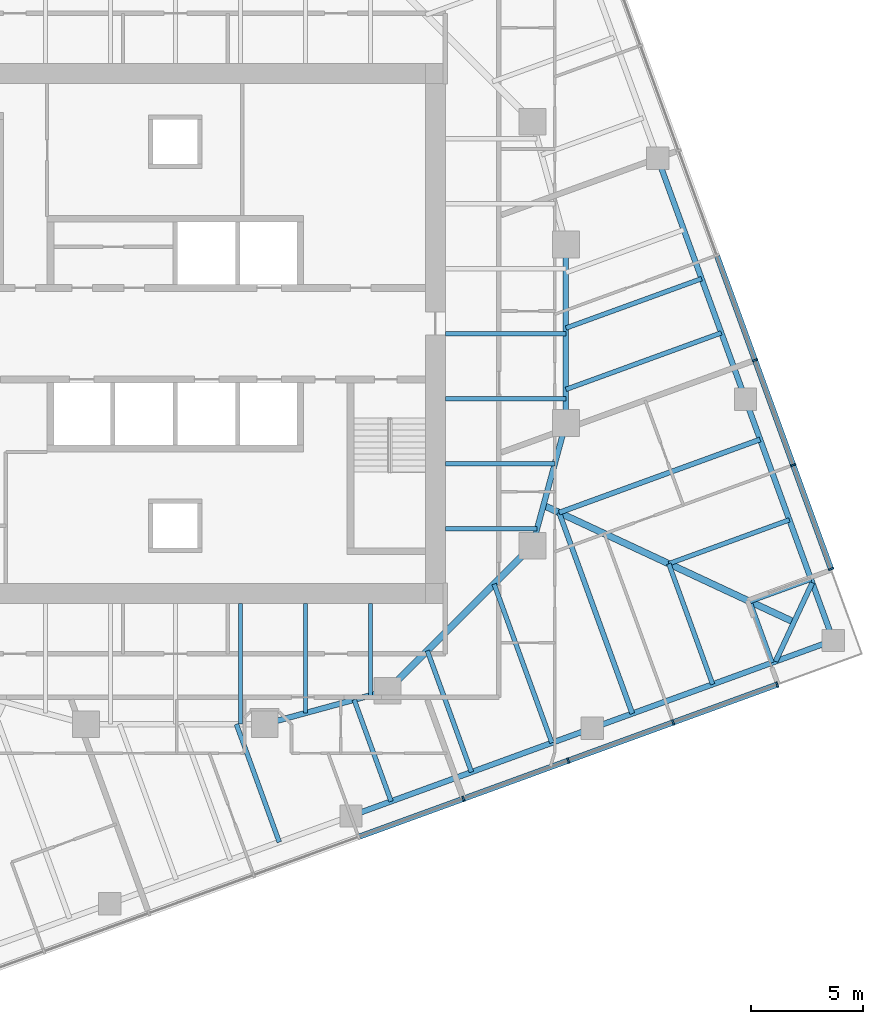
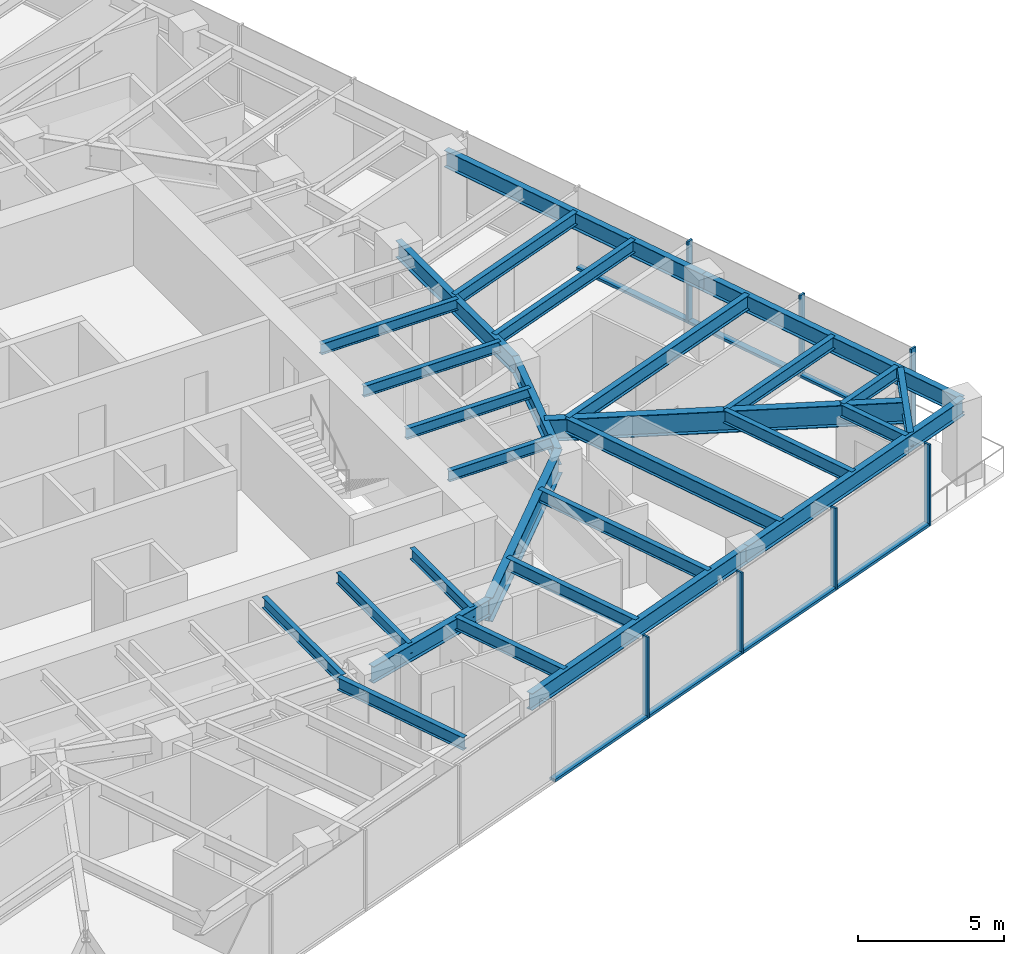
# One storey, part 3 of 13: 29 beams, 14 members, 2 elements without a shape of their own.
"""IFC4 building model written with IfcOpenShell, lengths in metres."""

from ifc_helpers import new_model, si_unit, direction, frame, origin, origin_2d, place, context, subcontext, project, spatial, rectangle, i_section, extrude, material, material_profile, profile_set, type_object, element, aggregate, save


model = new_model("IFC4")

# Units and contexts
model_context = context("Model", 3, precision=1e-05, world=origin(), true_north=direction((0.0, 1.0)))
body_context = subcontext(model_context, "Body", "Model", "MODEL_VIEW")
ifc_project = project(units=[si_unit("LENGTHUNIT", "METRE"), si_unit("AREAUNIT", "SQUARE_METRE"), si_unit("VOLUMEUNIT", "CUBIC_METRE"), si_unit("PLANEANGLEUNIT", "RADIAN"), si_unit("MASSUNIT", "GRAM", prefix="KILO")], contexts=[model_context])

# Site, building, storey
site_placement = place(None, origin())
site = spatial("IfcSite", under=ifc_project, at=site_placement, CompositionType="ELEMENT")
building_placement = place(site_placement, origin())
building = spatial("IfcBuilding", under=site, at=building_placement, Name="Torsade Residences", CompositionType="ELEMENT")
storey_placement = place(building_placement, frame((0.0, 0.0, 154.0)))
storey = spatial("IfcBuildingStorey", under=building, at=storey_placement, Name="L42", CompositionType="ELEMENT", Elevation=154.0)

# Beams
ifc_material_1 = material(Name="Steel grade 300", Category="steel")
ifc_material_profile_1 = material_profile(ifc_material_1, i_section(OverallWidth=0.300048828125, OverallDepth=0.89990234375, WebThickness=0.011962890625, FlangeThickness=0.02490234375, at=origin_2d()), Name="900WB175")
ifc_profile_set_1 = profile_set([ifc_material_profile_1], Name="Steel grade 300")
beam_type_1 = type_object("IfcBeamType", Name="CORNER GIRDER 900WB175", PredefinedType="BEAM", material=ifc_profile_set_1)
beam_1_placement = place(storey_placement, frame((67.717041015625, 17.075439453125, 2.800048828125), z_axis=(-0.906308509373, 0.422616712682, 0.0), x_axis=(-0.422616712682, -0.906308509373, 0.0)))
element("IfcBeam", 1, at=beam_1_placement, inside=storey, type_object=beam_type_1, Name="Corner girder 05 L43", PredefinedType="BEAM", context=body_context, shape_type="SweptSolid", body=[
    extrude(i_section(OverallWidth=0.300048828125, OverallDepth=0.89990234375, WebThickness=0.011962890625, FlangeThickness=0.02490234375, at=origin_2d()), origin(), (0.0, 0.0, 1.0), 12.3837890625),
])
ifc_material_2 = material(Name="Steel grade 300", Category="steel")
ifc_material_profile_2 = material_profile(ifc_material_2, i_section(OverallWidth=0.22802734375, OverallDepth=0.60205078125, WebThickness=0.010498046875, FlangeThickness=0.014892578125, FilletRadius=0.013916015625, at=origin_2d()), Name="610UB101")
ifc_profile_set_2 = profile_set([ifc_material_profile_2], Name="Steel grade 300")
beam_type_2 = type_object("IfcBeamType", Name="CORNER TRIMMER 610UB101", PredefinedType="BEAM", material=ifc_profile_set_2)
beam_2_placement = place(storey_placement, frame((68.538818359375, 18.837646484375, 2.948974609375), z_axis=(-0.422613947806, -0.906309798645, 0.0), x_axis=(0.906309798645, -0.422613947806, 0.0)))
element("IfcBeam", 2, at=beam_2_placement, inside=storey, type_object=beam_type_2, Name="Corner trimmer 05 L43", PredefinedType="BEAM", context=body_context, shape_type="SweptSolid", body=[
    extrude(i_section(OverallWidth=0.22802734375, OverallDepth=0.60205078125, WebThickness=0.010498046875, FlangeThickness=0.014892578125, FilletRadius=0.013916015625, at=origin_2d()), origin(), (0.0, 0.0, 1.0), 3.888916015625),
])
ifc_material_3 = material(Name="Steel grade 300", Category="steel")
ifc_material_profile_3 = material_profile(ifc_material_3, i_section(OverallWidth=0.25, OverallDepth=0.699951171875, WebThickness=0.010009765625, FlangeThickness=0.02001953125, at=origin_2d()), Name="700WB130")
ifc_profile_set_3 = profile_set([ifc_material_profile_3], Name="Steel grade 300")
beam_type_3 = type_object("IfcBeamType", Name="EDGE BEAM 700WB130", PredefinedType="SPANDREL", material=ifc_profile_set_3)
for number, where, z_axis, x_axis, name in (
    (3, (47.866455078125, 8.386962890625, 2.89990234375), (0.939688625666, 0.342031119628, 0.0), (-0.342031119628, 0.939688625666, 0.0), "Edge beam 03 L43"),
    (4, (58.6728515625, 12.3203125, 2.89990234375), (0.939697932031, 0.342005550448, 0.0), (-0.342005550448, 0.939697932031, 0.0), "Edge beam 04 L43"),
):
    element("IfcBeam", number, at=place(storey_placement, frame(where, z_axis=z_axis, x_axis=x_axis)), inside=storey, type_object=beam_type_3, Name=name, PredefinedType="SPANDREL", context=body_context, shape_type="SweptSolid", body=[
        extrude(i_section(OverallWidth=0.25, OverallDepth=0.699951171875, WebThickness=0.010009765625, FlangeThickness=0.02001953125, at=origin_2d()), origin(), (0.0, 0.0, 1.0), 11.5),
    ])
beam_3_placement = place(storey_placement, frame((69.4794921875, 16.25341796875, 2.89990234375), z_axis=(-0.342024296483, 0.93969110915, 0.0), x_axis=(-0.93969110915, -0.342024296483, 0.0)))
element("IfcBeam", 5, at=beam_3_placement, inside=storey, type_object=beam_type_3, Name="Edge beam 05 L43", PredefinedType="SPANDREL", context=body_context, shape_type="SweptSolid", body=[
    extrude(i_section(OverallWidth=0.25, OverallDepth=0.699951171875, WebThickness=0.010009765625, FlangeThickness=0.02001953125, at=origin_2d()), origin(), (0.0, 0.0, 1.0), 11.500244140625),
])
beam_4_placement = place(storey_placement, frame((65.546142578125, 27.06005859375, 2.89990234375), z_axis=(-0.342012373318, 0.939695448801, 0.0), x_axis=(-0.939695448801, -0.342012373318, 0.0)))
element("IfcBeam", 6, at=beam_4_placement, inside=storey, type_object=beam_type_3, Name="Edge beam 06 L43", PredefinedType="SPANDREL", context=body_context, shape_type="SweptSolid", body=[
    extrude(i_section(OverallWidth=0.25, OverallDepth=0.699951171875, WebThickness=0.010009765625, FlangeThickness=0.02001953125, at=origin_2d()), origin(), (0.0, 0.0, 1.0), 11.5),
])
ifc_material_4 = material(Name="Steel grade 300", Category="steel")
ifc_material_profile_4 = material_profile(ifc_material_4, i_section(OverallWidth=0.18994140625, OverallDepth=0.4541015625, WebThickness=0.008544921875, FlangeThickness=0.0126953125, FilletRadius=0.011474609375, at=origin_2d()), Name="460UB67.1")
ifc_profile_set_4 = profile_set([ifc_material_profile_4], Name="Steel grade 300")
beam_type_4 = type_object("IfcBeamType", Name="INNER FLOOR BEAM 460UB67.1", PredefinedType="JOIST", material=ifc_profile_set_4)
beam_5_placement = place(storey_placement, frame((48.737548828125, 17.89990234375, 3.02294921875), z_axis=(0.0, -1.0, 0.0), x_axis=(1.0, 0.0, 0.0)))
element("IfcBeam", 7, at=beam_5_placement, inside=storey, type_object=beam_type_4, Name="Inner floor beam IS01 L43", PredefinedType="JOIST", context=body_context, shape_type="SweptSolid", body=[
    extrude(i_section(OverallWidth=0.18994140625, OverallDepth=0.4541015625, WebThickness=0.008544921875, FlangeThickness=0.0126953125, FilletRadius=0.011474609375, at=origin_2d()), origin(), (0.0, 0.0, 1.0), 4.10791015625),
])
beam_6_placement = place(storey_placement, frame((45.824951171875, 17.89990234375, 3.02294921875), z_axis=(0.0, -1.0, 0.0), x_axis=(1.0, 0.0, 0.0)))
element("IfcBeam", 8, at=beam_6_placement, inside=storey, type_object=beam_type_4, Name="Inner floor beam IS02 L43", PredefinedType="JOIST", context=body_context, shape_type="SweptSolid", body=[
    extrude(i_section(OverallWidth=0.18994140625, OverallDepth=0.4541015625, WebThickness=0.008544921875, FlangeThickness=0.0126953125, FilletRadius=0.011474609375, at=origin_2d()), origin(), (0.0, 0.0, 1.0), 4.902099609375),
])
beam_7_placement = place(storey_placement, frame((42.91259765625, 17.89990234375, 3.02294921875), z_axis=(0.0, -1.0, 0.0), x_axis=(1.0, 0.0, 0.0)))
element("IfcBeam", 9, at=beam_7_placement, inside=storey, type_object=beam_type_4, Name="Inner floor beam IS03 L43", PredefinedType="JOIST", context=body_context, shape_type="SweptSolid", body=[
    extrude(i_section(OverallWidth=0.18994140625, OverallDepth=0.4541015625, WebThickness=0.008544921875, FlangeThickness=0.0126953125, FilletRadius=0.011474609375, at=origin_2d()), origin(), (0.0, 0.0, 1.0), 5.39990234375),
])
beam_8_placement = place(storey_placement, frame((52.10009765625, 21.262451171875, 3.02294921875), z_axis=(1.0, 0.0, 0.0), x_axis=(0.0, 1.0, 0.0)))
element("IfcBeam", 10, at=beam_8_placement, inside=storey, type_object=beam_type_4, Name="Inner floor beam IE01 L43", PredefinedType="JOIST", context=body_context, shape_type="SweptSolid", body=[
    extrude(i_section(OverallWidth=0.18994140625, OverallDepth=0.4541015625, WebThickness=0.008544921875, FlangeThickness=0.0126953125, FilletRadius=0.011474609375, at=origin_2d()), origin(), (0.0, 0.0, 1.0), 4.10791015625),
])
beam_9_placement = place(storey_placement, frame((52.10009765625, 24.175048828125, 3.02294921875), z_axis=(1.0, 0.0, 0.0), x_axis=(0.0, 1.0, 0.0)))
element("IfcBeam", 11, at=beam_9_placement, inside=storey, type_object=beam_type_4, Name="Inner floor beam IE02 L43", PredefinedType="JOIST", context=body_context, shape_type="SweptSolid", body=[
    extrude(i_section(OverallWidth=0.18994140625, OverallDepth=0.4541015625, WebThickness=0.008544921875, FlangeThickness=0.0126953125, FilletRadius=0.011474609375, at=origin_2d()), origin(), (0.0, 0.0, 1.0), 4.902099609375),
])
for number, where, z_axis, x_axis, name in (
    (12, (52.10009765625, 27.08740234375, 3.02294921875), (1.0, 0.0, 0.0), (0.0, 1.0, 0.0), "Inner floor beam IE03 L43"),
    (13, (52.10009765625, 30.0, 3.02294921875), (1.0, 0.0, 0.0), (0.0, 1.0, 0.0), "Inner floor beam IE04 L43"),
):
    element("IfcBeam", number, at=place(storey_placement, frame(where, z_axis=z_axis, x_axis=x_axis)), inside=storey, type_object=beam_type_4, Name=name, PredefinedType="JOIST", context=body_context, shape_type="SweptSolid", body=[
        extrude(i_section(OverallWidth=0.18994140625, OverallDepth=0.4541015625, WebThickness=0.008544921875, FlangeThickness=0.0126953125, FilletRadius=0.011474609375, at=origin_2d()), origin(), (0.0, 0.0, 1.0), 5.39990234375),
    ])

# Curtain wall, members
ifc_material_5 = material(Name="Aluminium and glass", Category="aluminium")
curtain_wall_type = type_object("IfcCurtainWallType", Name="FRITTED GLASS CURTAIN WALL MID ZONE", PredefinedType="NOTDEFINED", material=ifc_material_5)
curtain_wall_1_placement = place(storey_placement, origin())
curtain_wall_1 = element("IfcCurtainWall", 14, at=curtain_wall_1_placement, inside=storey, type_object=curtain_wall_type, Name="Curtain wall L42 face 1", PredefinedType="NOTDEFINED")
ifc_material_6 = material(Name="Aluminium mullion", Category="aluminium")
ifc_material_profile_5 = material_profile(ifc_material_6, rectangle(XDim=0.25, YDim=0.080078125, at=origin_2d()), Name="MID ZONE CURTAIN WALL MULLION 250x80")
ifc_profile_set_5 = profile_set([ifc_material_profile_5], Name="Aluminium mullion")
member_type_1 = type_object("IfcMemberType", Name="MID ZONE CURTAIN WALL MULLION 250x80", PredefinedType="MULLION", material=ifc_profile_set_5)
member_1_placement = place(storey_placement, frame((52.906982421875, 9.157470703125, 0.0), z_axis=(0.0, 0.0, 1.0), x_axis=(-0.342020147869, 0.939692619132, 0.0)))
member_1 = element("IfcMember", 15, at=member_1_placement, type_object=member_type_1, Name="Mullion 6", PredefinedType="MULLION", context=body_context, shape_type="SweptSolid", body=[
    extrude(rectangle(XDim=0.25, YDim=0.080078125, at=origin_2d()), origin(), (0.0, 0.0, 1.0), 3.39990234375),
])
member_2_placement = place(storey_placement, frame((57.60546875, 10.86767578125, 0.0), z_axis=(0.0, 0.0, 1.0), x_axis=(-0.342020147869, 0.939692619132, 0.0)))
member_2 = element("IfcMember", 16, at=member_2_placement, type_object=member_type_1, Name="Mullion 7", PredefinedType="MULLION", context=body_context, shape_type="SweptSolid", body=[
    extrude(rectangle(XDim=0.25, YDim=0.080078125, at=origin_2d()), origin(), (0.0, 0.0, 1.0), 3.39990234375),
])
member_3_placement = place(storey_placement, frame((62.303955078125, 12.57763671875, 0.0), z_axis=(0.0, 0.0, 1.0), x_axis=(-0.342020147869, 0.939692619132, 0.0)))
member_3 = element("IfcMember", 17, at=member_3_placement, type_object=member_type_1, Name="Mullion 8", PredefinedType="MULLION", context=body_context, shape_type="SweptSolid", body=[
    extrude(rectangle(XDim=0.25, YDim=0.080078125, at=origin_2d()), origin(), (0.0, 0.0, 1.0), 3.39990234375),
])
member_4_placement = place(storey_placement, frame((66.96484375, 14.274169921875, 0.0), z_axis=(0.0, 0.0, 1.0), x_axis=(-0.342020147869, 0.939692619132, 0.0)))
member_4 = element("IfcMember", 18, at=member_4_placement, type_object=member_type_1, Name="Mullion 9", PredefinedType="MULLION", context=body_context, shape_type="SweptSolid", body=[
    extrude(rectangle(XDim=0.25, YDim=0.080078125, at=origin_2d()), origin(), (0.0, 0.0, 1.0), 3.39990234375),
])

curtain_wall_2_placement = place(storey_placement, origin())
curtain_wall_2 = element("IfcCurtainWall", 19, at=curtain_wall_2_placement, inside=storey, type_object=curtain_wall_type, Name="Curtain wall L42 face 4", PredefinedType="NOTDEFINED")
member_5_placement = place(storey_placement, frame((69.37939453125, 19.4521484375, 0.0), z_axis=(0.0, 0.0, 1.0), x_axis=(-0.939692619132, -0.342020147869, 0.0)))
member_5 = element("IfcMember", 20, at=member_5_placement, type_object=member_type_1, Name="Mullion 1", PredefinedType="MULLION", context=body_context, shape_type="SweptSolid", body=[
    extrude(rectangle(XDim=0.25, YDim=0.080078125, at=origin_2d()), origin(), (0.0, 0.0, 1.0), 3.39990234375),
])
member_6_placement = place(storey_placement, frame((67.682861328125, 24.113037109375, 0.0), z_axis=(0.0, 0.0, 1.0), x_axis=(-0.939692619132, -0.342020147869, 0.0)))
member_6 = element("IfcMember", 21, at=member_6_placement, type_object=member_type_1, Name="Mullion 2", PredefinedType="MULLION", context=body_context, shape_type="SweptSolid", body=[
    extrude(rectangle(XDim=0.25, YDim=0.080078125, at=origin_2d()), origin(), (0.0, 0.0, 1.0), 3.39990234375),
])
member_7_placement = place(storey_placement, frame((65.972900390625, 28.8115234375, 0.0), z_axis=(0.0, 0.0, 1.0), x_axis=(-0.939692619132, -0.342020147869, 0.0)))
member_7 = element("IfcMember", 22, at=member_7_placement, type_object=member_type_1, Name="Mullion 3", PredefinedType="MULLION", context=body_context, shape_type="SweptSolid", body=[
    extrude(rectangle(XDim=0.25, YDim=0.080078125, at=origin_2d()), origin(), (0.0, 0.0, 1.0), 3.39990234375),
])

# Member
ifc_material_7 = material(Name="Aluminium transom", Category="aluminium")
ifc_material_profile_6 = material_profile(ifc_material_7, rectangle(XDim=0.25, YDim=0.110107421875, at=origin_2d()), Name="MID ZONE CURTAIN WALL TRANSOM 250x110")
ifc_profile_set_6 = profile_set([ifc_material_profile_6], Name="Aluminium transom")
member_type_2 = type_object("IfcMemberType", Name="MID ZONE CURTAIN WALL TRANSOM 250x110", PredefinedType="USERDEFINED", material=ifc_profile_set_6)
member_8_placement = place(storey_placement, frame((48.24609375, 7.4609375, 0.054931640625), z_axis=(0.93968471549, 0.342041862168, 0.0), x_axis=(-0.342041862168, 0.93968471549, 0.0)))
member_8 = element("IfcMember", 23, at=member_8_placement, type_object=member_type_2, Name="Transom 5.1", ObjectType="TRANSOM", PredefinedType="USERDEFINED", context=body_context, shape_type="SweptSolid", body=[
    extrude(rectangle(XDim=0.25, YDim=0.110107421875, at=origin_2d()), origin(), (0.0, 0.0, 1.0), 4.920166015625),
])

member_9_placement = place(storey_placement, frame((52.944580078125, 9.171142578125, 0.054931640625), z_axis=(0.93968471549, 0.342041862168, 0.0), x_axis=(-0.342041862168, 0.93968471549, 0.0)))
member_9 = element("IfcMember", 24, at=member_9_placement, type_object=member_type_2, Name="Transom 6.1", ObjectType="TRANSOM", PredefinedType="USERDEFINED", context=body_context, shape_type="SweptSolid", body=[
    extrude(rectangle(XDim=0.25, YDim=0.110107421875, at=origin_2d()), origin(), (0.0, 0.0, 1.0), 4.920166015625),
])

member_10_placement = place(storey_placement, frame((57.64306640625, 10.88134765625, 0.054931640625), z_axis=(0.9397006637, 0.341998044792, 0.0), x_axis=(-0.341998044792, 0.9397006637, 0.0)))
member_10 = element("IfcMember", 25, at=member_10_placement, type_object=member_type_2, Name="Transom 7.1", ObjectType="TRANSOM", PredefinedType="USERDEFINED", context=body_context, shape_type="SweptSolid", body=[
    extrude(rectangle(XDim=0.25, YDim=0.110107421875, at=origin_2d()), origin(), (0.0, 0.0, 1.0), 4.919921875),
])

member_11_placement = place(storey_placement, frame((62.341552734375, 12.59130859375, 0.054931640625), z_axis=(0.939683823915, 0.342044311564, 0.0), x_axis=(-0.342044311564, 0.939683823915, 0.0)))
member_11 = element("IfcMember", 26, at=member_11_placement, type_object=member_type_2, Name="Transom 8.1", ObjectType="TRANSOM", PredefinedType="USERDEFINED", context=body_context, shape_type="SweptSolid", body=[
    extrude(rectangle(XDim=0.25, YDim=0.110107421875, at=origin_2d()), origin(), (0.0, 0.0, 1.0), 4.880126953125),
])

aggregate(curtain_wall_1, [member_1, member_2, member_3, member_4, member_8, member_9, member_10, member_11])

member_12_placement = place(storey_placement, frame((69.36572265625, 19.48974609375, 0.054931640625), z_axis=(-0.342044311564, 0.939683823915, 0.0), x_axis=(-0.939683823915, -0.342044311564, 0.0)))
member_12 = element("IfcMember", 27, at=member_12_placement, type_object=member_type_2, Name="Transom 1.1", ObjectType="TRANSOM", PredefinedType="USERDEFINED", context=body_context, shape_type="SweptSolid", body=[
    extrude(rectangle(XDim=0.25, YDim=0.110107421875, at=origin_2d()), origin(), (0.0, 0.0, 1.0), 4.880126953125),
])

member_13_placement = place(storey_placement, frame((67.669189453125, 24.150634765625, 0.054931640625), z_axis=(-0.341998044792, 0.9397006637, 0.0), x_axis=(-0.9397006637, -0.341998044792, 0.0)))
member_13 = element("IfcMember", 28, at=member_13_placement, type_object=member_type_2, Name="Transom 2.1", ObjectType="TRANSOM", PredefinedType="USERDEFINED", context=body_context, shape_type="SweptSolid", body=[
    extrude(rectangle(XDim=0.25, YDim=0.110107421875, at=origin_2d()), origin(), (0.0, 0.0, 1.0), 4.919921875),
])

member_14_placement = place(storey_placement, frame((65.959228515625, 28.84912109375, 0.054931640625), z_axis=(-0.342041862168, 0.93968471549, 0.0), x_axis=(-0.93968471549, -0.342041862168, 0.0)))
member_14 = element("IfcMember", 29, at=member_14_placement, type_object=member_type_2, Name="Transom 3.1", ObjectType="TRANSOM", PredefinedType="USERDEFINED", context=body_context, shape_type="SweptSolid", body=[
    extrude(rectangle(XDim=0.25, YDim=0.110107421875, at=origin_2d()), origin(), (0.0, 0.0, 1.0), 4.920166015625),
])

aggregate(curtain_wall_2, [member_5, member_6, member_7, member_12, member_13, member_14])

# Beams
ifc_material_8 = material(Name="Steel grade 300", Category="steel")
ifc_material_profile_7 = material_profile(ifc_material_8, i_section(OverallWidth=0.300048828125, OverallDepth=1.0, WebThickness=0.01611328125, FlangeThickness=0.028076171875, at=origin_2d()), Name="1000WB215")
ifc_profile_set_7 = profile_set([ifc_material_profile_7], Name="Steel grade 300")
beam_type_5 = type_object("IfcBeamType", Name="RING CORNER GIRDER 1000WB215", PredefinedType="BEAM", material=ifc_profile_set_7)
beam_10_placement = place(storey_placement, frame((49.5, 14.0, 2.75), z_axis=(0.707106781187, 0.707106781187, 0.0), x_axis=(-0.707106781187, 0.707106781187, 0.0)))
element("IfcBeam", 30, at=beam_10_placement, inside=storey, type_object=beam_type_5, Name="Ring girder IR15 L43", PredefinedType="BEAM", context=body_context, shape_type="SweptSolid", body=[
    extrude(i_section(OverallWidth=0.300048828125, OverallDepth=1.0, WebThickness=0.01611328125, FlangeThickness=0.028076171875, at=origin_2d()), origin(), (0.0, 0.0, 1.0), 9.1923828125),
])
ifc_material_9 = material(Name="Steel grade 300", Category="steel")
ifc_material_profile_8 = material_profile(ifc_material_9, i_section(OverallWidth=0.25, OverallDepth=0.699951171875, WebThickness=0.010009765625, FlangeThickness=0.02001953125, at=origin_2d()), Name="700WB130")
ifc_profile_set_8 = profile_set([ifc_material_profile_8], Name="Steel grade 300")
beam_type_6 = type_object("IfcBeamType", Name="RING GIRDER 700WB130", PredefinedType="BEAM", material=ifc_profile_set_8)
beam_11_placement = place(storey_placement, frame((57.5, 26.0, 2.89990234375), z_axis=(0.0, 1.0, 0.0), x_axis=(-1.0, 0.0, 0.0)))
element("IfcBeam", 31, at=beam_11_placement, inside=storey, type_object=beam_type_6, Name="Ring girder IR01 L43", PredefinedType="BEAM", context=body_context, shape_type="SweptSolid", body=[
    extrude(i_section(OverallWidth=0.25, OverallDepth=0.699951171875, WebThickness=0.010009765625, FlangeThickness=0.02001953125, at=origin_2d()), origin(), (0.0, 0.0, 1.0), 8.0),
])
for number, where, z_axis, x_axis, name in (
    (32, (44.0, 12.5, 2.89990234375), (0.964763821238, 0.263117405792, 0.0), (-0.263117405792, 0.964763821238, 0.0), "Ring girder IR14 L43"),
    (33, (56.0, 20.5, 2.89990234375), (0.263117405792, 0.964763821238, 0.0), (-0.964763821238, 0.263117405792, 0.0), "Ring girder IR16 L43"),
):
    element("IfcBeam", number, at=place(storey_placement, frame(where, z_axis=z_axis, x_axis=x_axis)), inside=storey, type_object=beam_type_6, Name=name, PredefinedType="BEAM", context=body_context, shape_type="SweptSolid", body=[
        extrude(i_section(OverallWidth=0.25, OverallDepth=0.699951171875, WebThickness=0.010009765625, FlangeThickness=0.02001953125, at=origin_2d()), origin(), (0.0, 0.0, 1.0), 5.700927734375),
    ])
ifc_material_10 = material(Name="Steel grade 300", Category="steel")
ifc_material_profile_9 = material_profile(ifc_material_10, i_section(OverallWidth=0.208984375, OverallDepth=0.528076171875, WebThickness=0.009521484375, FlangeThickness=0.01318359375, FilletRadius=0.013916015625, at=origin_2d()), Name="530UB82.0")
ifc_profile_set_9 = profile_set([ifc_material_profile_9], Name="Steel grade 300")
beam_type_7 = type_object("IfcBeamType", Name="SECONDARY BEAM 530UB82.0", PredefinedType="JOIST", material=ifc_profile_set_9)
beam_12_placement = place(storey_placement, frame((44.65576171875, 7.218505859375, 2.986083984375), z_axis=(-0.341990681925, 0.939703343336, 0.0), x_axis=(-0.939703343336, -0.341990681925, 0.0)))
element("IfcBeam", 34, at=beam_12_placement, inside=storey, type_object=beam_type_7, Name="Floor beam FS06 L43", PredefinedType="JOIST", context=body_context, shape_type="SweptSolid", body=[
    extrude(i_section(OverallWidth=0.208984375, OverallDepth=0.528076171875, WebThickness=0.009521484375, FlangeThickness=0.01318359375, FilletRadius=0.013916015625, at=origin_2d()), origin(), (0.0, 0.0, 1.0), 5.620361328125),
])
beam_13_placement = place(storey_placement, frame((49.66748046875, 9.042724609375, 2.986083984375), z_axis=(-0.342014218604, 0.939694777187, 0.0), x_axis=(-0.939694777187, -0.342014218604, 0.0)))
element("IfcBeam", 35, at=beam_13_placement, inside=storey, type_object=beam_type_7, Name="Floor beam FS07 L43", PredefinedType="JOIST", context=body_context, shape_type="SweptSolid", body=[
    extrude(i_section(OverallWidth=0.208984375, OverallDepth=0.528076171875, WebThickness=0.009521484375, FlangeThickness=0.01318359375, FilletRadius=0.013916015625, at=origin_2d()), origin(), (0.0, 0.0, 1.0), 4.84326171875),
])
beam_14_placement = place(storey_placement, frame((53.269775390625, 10.353759765625, 2.986083984375), z_axis=(-0.342034409239, 0.939687428295, 0.0), x_axis=(-0.939687428295, -0.342034409239, 0.0)))
element("IfcBeam", 36, at=beam_14_placement, inside=storey, type_object=beam_type_7, Name="Floor beam FS08 L43", PredefinedType="JOIST", context=body_context, shape_type="SweptSolid", body=[
    extrude(i_section(OverallWidth=0.208984375, OverallDepth=0.528076171875, WebThickness=0.009521484375, FlangeThickness=0.01318359375, FilletRadius=0.013916015625, at=origin_2d()), origin(), (0.0, 0.0, 1.0), 5.785888671875),
])
beam_15_placement = place(storey_placement, frame((56.871826171875, 11.664794921875, 2.986083984375), z_axis=(-0.342027762686, 0.939689847531, 0.0), x_axis=(-0.939689847531, -0.342027762686, 0.0)))
element("IfcBeam", 37, at=beam_15_placement, inside=storey, type_object=beam_type_7, Name="Floor beam FS09 L43", PredefinedType="JOIST", context=body_context, shape_type="SweptSolid", body=[
    extrude(i_section(OverallWidth=0.208984375, OverallDepth=0.528076171875, WebThickness=0.009521484375, FlangeThickness=0.01318359375, FilletRadius=0.013916015625, at=origin_2d()), origin(), (0.0, 0.0, 1.0), 7.573486328125),
])
beam_16_placement = place(storey_placement, frame((64.076171875, 14.286865234375, 2.986083984375), z_axis=(-0.342005550448, 0.939697932031, 0.0), x_axis=(-0.939697932031, -0.342005550448, 0.0)))
element("IfcBeam", 38, at=beam_16_placement, inside=storey, type_object=beam_type_7, Name="Floor beam FS11 L43", PredefinedType="JOIST", context=body_context, shape_type="SweptSolid", body=[
    extrude(i_section(OverallWidth=0.208984375, OverallDepth=0.528076171875, WebThickness=0.009521484375, FlangeThickness=0.01318359375, FilletRadius=0.013916015625, at=origin_2d()), origin(), (0.0, 0.0, 1.0), 5.75),
])
for number, where, z_axis, x_axis, name in (
    (39, (66.738525390625, 15.255859375, 2.986083984375), (-0.341998427281, 0.939700524495, 0.0), (-0.939700524495, -0.341998427281, 0.0), "Floor beam FS12 L43"),
    (40, (68.48193359375, 18.994384765625, 2.986083984375), (-0.939700524495, -0.341998427281, 0.0), (0.341998427281, -0.939700524495, 0.0), "Floor beam FE01 L43"),
):
    element("IfcBeam", number, at=place(storey_placement, frame(where, z_axis=z_axis, x_axis=x_axis)), inside=storey, type_object=beam_type_7, Name=name, PredefinedType="JOIST", context=body_context, shape_type="SweptSolid", body=[
        extrude(i_section(OverallWidth=0.208984375, OverallDepth=0.528076171875, WebThickness=0.009521484375, FlangeThickness=0.01318359375, FilletRadius=0.013916015625, at=origin_2d()), origin(), (0.0, 0.0, 1.0), 2.916748046875),
    ])
beam_17_placement = place(storey_placement, frame((67.5126953125, 21.65673828125, 2.986083984375), z_axis=(-0.939692965423, -0.342019196443, 0.0), x_axis=(0.342019196443, -0.939692965423, 0.0)))
element("IfcBeam", 41, at=beam_17_placement, inside=storey, type_object=beam_type_7, Name="Floor beam FE02 L43", PredefinedType="JOIST", context=body_context, shape_type="SweptSolid", body=[
    extrude(i_section(OverallWidth=0.208984375, OverallDepth=0.528076171875, WebThickness=0.009521484375, FlangeThickness=0.01318359375, FilletRadius=0.013916015625, at=origin_2d()), origin(), (0.0, 0.0, 1.0), 5.749755859375),
])
beam_18_placement = place(storey_placement, frame((64.463134765625, 30.03564453125, 2.986083984375), z_axis=(-0.939690450554, -0.342026105929, 0.0), x_axis=(0.342026105929, -0.939690450554, 0.0)))
element("IfcBeam", 42, at=beam_18_placement, inside=storey, type_object=beam_type_7, Name="Floor beam FE04 L43", PredefinedType="JOIST", context=body_context, shape_type="SweptSolid", body=[
    extrude(i_section(OverallWidth=0.208984375, OverallDepth=0.528076171875, WebThickness=0.009521484375, FlangeThickness=0.01318359375, FilletRadius=0.013916015625, at=origin_2d()), origin(), (0.0, 0.0, 1.0), 7.409912109375),
])
beam_19_placement = place(storey_placement, frame((63.57958984375, 32.463134765625, 2.986083984375), z_axis=(-0.939699737026, -0.342000590983, 0.0), x_axis=(0.342000590983, -0.939699737026, 0.0)))
element("IfcBeam", 43, at=beam_19_placement, inside=storey, type_object=beam_type_7, Name="Floor beam FE05 L43", PredefinedType="JOIST", context=body_context, shape_type="SweptSolid", body=[
    extrude(i_section(OverallWidth=0.208984375, OverallDepth=0.528076171875, WebThickness=0.009521484375, FlangeThickness=0.01318359375, FilletRadius=0.013916015625, at=origin_2d()), origin(), (0.0, 0.0, 1.0), 6.4697265625),
])
ifc_material_11 = material(Name="Steel grade 300", Category="steel")
ifc_material_profile_10 = material_profile(ifc_material_11, i_section(OverallWidth=0.22900390625, OverallDepth=0.612060546875, WebThickness=0.011962890625, FlangeThickness=0.01953125, FilletRadius=0.013916015625, at=origin_2d()), Name="610UB125")
ifc_profile_set_10 = profile_set([ifc_material_profile_10], Name="Steel grade 300")
beam_type_8 = type_object("IfcBeamType", Name="SECONDARY BEAM 610UB125", PredefinedType="JOIST", material=ifc_profile_set_10)
for number, where, z_axis, x_axis, name in (
    (44, (60.47412109375, 12.975830078125, 2.944091796875), (-0.342033504181, 0.939687757725, 0.0), (-0.939687757725, -0.342033504181, 0.0), "Floor beam FS10 L43"),
    (45, (66.20166015625, 25.259033203125, 2.944091796875), (-0.939687757725, -0.342033504181, 0.0), (0.342033504181, -0.939687757725, 0.0), "Floor beam FE03 L43"),
):
    element("IfcBeam", number, at=place(storey_placement, frame(where, z_axis=z_axis, x_axis=x_axis)), inside=storey, type_object=beam_type_8, Name=name, PredefinedType="JOIST", context=body_context, shape_type="SweptSolid", body=[
        extrude(i_section(OverallWidth=0.22900390625, OverallDepth=0.612060546875, WebThickness=0.011962890625, FlangeThickness=0.01953125, FilletRadius=0.013916015625, at=origin_2d()), origin(), (0.0, 0.0, 1.0), 9.583251953125),
    ])

save(model, "model.ifc")
